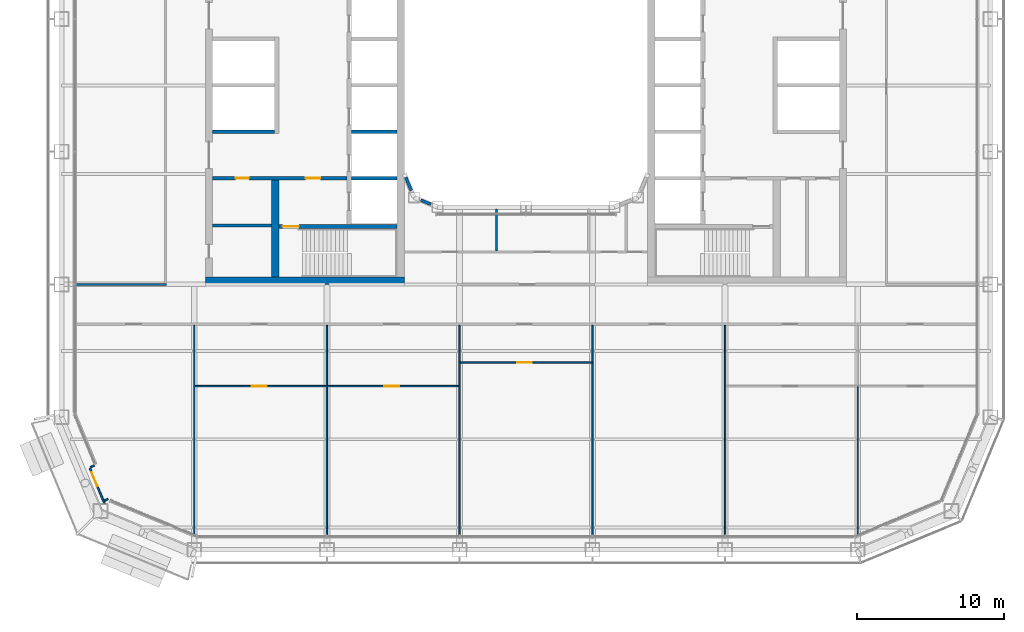
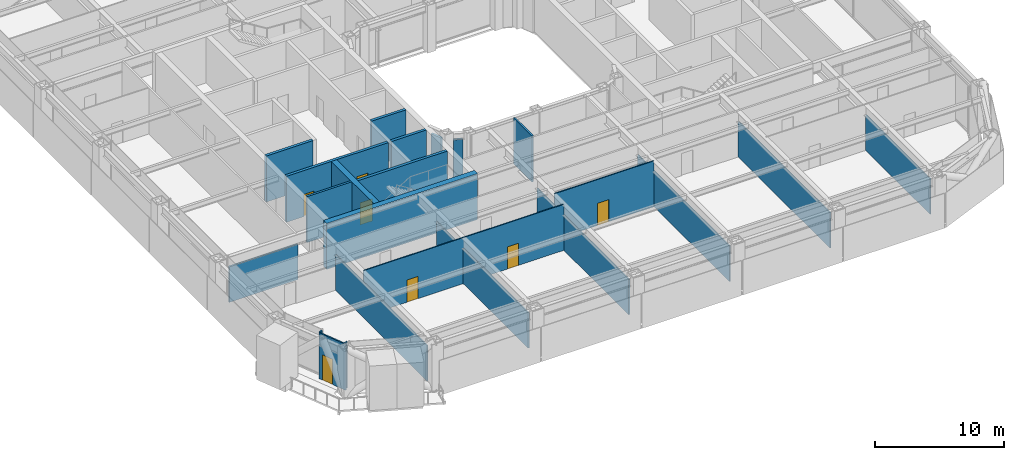
# One storey, part 13 of 27: 24 walls, 7 doors, 7 openings.
"""IFC4 building model written with IfcOpenShell, lengths in metres."""

from ifc_helpers import new_model, si_unit, direction, frame, frame_2d, origin, place, context, subcontext, project, spatial, rectangle, extrude, material, layer, layer_set, type_object, element, fill, save


model = new_model("IFC4")

# Units and contexts
model_context = context("Model", 3, precision=1e-05, world=origin(), true_north=direction((0.0, 1.0)))
body_context = subcontext(model_context, "Body", "Model", "MODEL_VIEW")
ifc_project = project(units=[si_unit("LENGTHUNIT", "METRE"), si_unit("AREAUNIT", "SQUARE_METRE"), si_unit("VOLUMEUNIT", "CUBIC_METRE"), si_unit("PLANEANGLEUNIT", "RADIAN"), si_unit("MASSUNIT", "GRAM", prefix="KILO")], contexts=[model_context])

# Site, building, storey
site_placement = place(None, origin())
site = spatial("IfcSite", under=ifc_project, at=site_placement, CompositionType="ELEMENT")
building_placement = place(site_placement, origin())
building = spatial("IfcBuilding", under=site, at=building_placement, Name="Siwar Civic Tower", CompositionType="ELEMENT")
storey_placement = place(building_placement, frame((0.0, 0.0, 71.699951171875)))
storey = spatial("IfcBuildingStorey", under=building, at=storey_placement, Name="L15", CompositionType="ELEMENT", Elevation=71.699951171875)

# Wall
ifc_material_1 = material(Name="Gypsum board on steel studs", Category="steel")
ifc_layer_1 = layer(ifc_material_1, 0.199951171875)
ifc_layer_set_1 = layer_set([ifc_layer_1], Name="Gypsum board on steel studs")
wall_type_1 = type_object("IfcWallType", Name="CORE-PARTITION-200", PredefinedType="PARTITIONING", material=ifc_layer_set_1)
wall_1_placement = place(storey_placement, frame((-17.25, -9.5, 0.0), z_axis=(0.0, 0.0, 1.0), x_axis=(-1.0, 0.0, 0.0)))
element("IfcWall", 1, at=wall_1_placement, inside=storey, type_object=wall_type_1, Name="Core partition W", PredefinedType="PARTITIONING", context=body_context, shape_type="SweptSolid", body=[
    extrude(rectangle(XDim=4.0, YDim=0.199951171875, at=frame_2d((2.0, 0.0))), origin(), (0.0, 0.0, 1.0), 4.35009765625),
])

# Wall, openings, doors
ifc_material_2 = material(Name="Concrete C60/75", Category="concrete")
ifc_layer_2 = layer(ifc_material_2, 0.25)
ifc_layer_set_2 = layer_set([ifc_layer_2], Name="Concrete C60/75")
wall_type_2 = type_object("IfcWallType", Name="CORE-WALL-RC250", PredefinedType="SHEAR", material=ifc_layer_set_2)
wall_2_placement = place(storey_placement, frame((-12.14990234375, -6.300048828125, 0.0), z_axis=(0.0, 0.0, 1.0), x_axis=(-1.0, 0.0, 0.0)))
wall_2 = element("IfcWall", 2, at=wall_2_placement, inside=storey, type_object=wall_type_2, Name="Core wall W", PredefinedType="SHEAR", context=body_context, shape_type="SweptSolid", body=[
    extrude(rectangle(XDim=9.10009765625, YDim=0.25, at=frame_2d((4.550048828125, 0.0))), origin(), (0.0, 0.0, 1.0), 4.35009765625),
])
opening_1_placement = place(wall_2_placement, frame((1.800048828125, 0.0, 0.0)))
opening_1 = element("IfcOpeningElement", 3, at=opening_1_placement, cuts=wall_2, Name="Opening L15-CW02", PredefinedType="OPENING", context=body_context, shape_type="SweptSolid", body=[
    extrude(rectangle(XDim=1.0, YDim=2.10009765625, at=frame_2d((0.5, 1.050048828125))), frame((0.0, 0.135009765625, 0.0), z_axis=(0.0, -1.0, 0.0), x_axis=(1.0, 0.0, 0.0)), (0.0, 0.0, 1.0), 0.27001953125),
])
opening_2_placement = place(wall_2_placement, frame((6.64990234375, 0.0, 0.0)))
opening_2 = element("IfcOpeningElement", 4, at=opening_2_placement, cuts=wall_2, Name="Opening L15-CW14", PredefinedType="OPENING", context=body_context, shape_type="SweptSolid", body=[
    extrude(rectangle(XDim=0.89990234375, YDim=2.10009765625, at=frame_2d((0.449951171875, 1.050048828125))), frame((0.0, 0.135009765625, 0.0), z_axis=(0.0, -1.0, 0.0), x_axis=(1.0, 0.0, 0.0)), (0.0, 0.0, 1.0), 0.27001953125),
])
ifc_material_3 = material(Name="Steel door leaf", Category="steel")
door_type_1 = type_object("IfcDoorType", Name="CORE-DOOR-FD30S", OperationType="SINGLE_SWING_LEFT", PredefinedType="DOOR", material=ifc_material_3)
door_1_placement = place(opening_1_placement, origin())
door_1 = element("IfcDoor", 5, at=door_1_placement, inside=storey, type_object=door_type_1, Name="Service lobby door L15-CW02", OperationType="SINGLE_SWING_RIGHT", OverallHeight=2.10009765625, OverallWidth=1.0, PredefinedType="DOOR", context=body_context, shape_type="SweptSolid", body=[
    extrude(rectangle(XDim=1.0, YDim=2.10009765625, at=frame_2d((0.5, 1.050048828125))), frame((0.0, 0.02490234375, 0.0), z_axis=(0.0, -1.0, 0.0), x_axis=(1.0, 0.0, 0.0)), (0.0, 0.0, 1.0), 0.050048828125),
])
fill(opening_1, door_1)
ifc_material_4 = material(Name="Steel door leaf", Category="steel")
door_type_2 = type_object("IfcDoorType", Name="CORE-DOOR-ROOM", OperationType="SINGLE_SWING_LEFT", PredefinedType="DOOR", material=ifc_material_4)
door_2_placement = place(opening_2_placement, origin())
door_2 = element("IfcDoor", 6, at=door_2_placement, inside=storey, type_object=door_type_2, Name="Core room door L15-CW14", OperationType="SINGLE_SWING_RIGHT", OverallHeight=2.10009765625, OverallWidth=0.89990234375, PredefinedType="DOOR", context=body_context, shape_type="SweptSolid", body=[
    extrude(rectangle(XDim=0.89990234375, YDim=2.10009765625, at=frame_2d((0.449951171875, 1.050048828125))), frame((0.0, 0.02490234375, 0.0), z_axis=(0.0, -1.0, 0.0), x_axis=(1.0, 0.0, 0.0)), (0.0, 0.0, 1.0), 0.050048828125),
])
fill(opening_2, door_2)

# Walls
wall_3_placement = place(storey_placement, frame((-17.050048828125, -3.14990234375, 0.0), z_axis=(0.0, 0.0, 1.0), x_axis=(-1.0, 0.0, 0.0)))
element("IfcWall", 7, at=wall_3_placement, inside=storey, type_object=wall_type_2, Name="Core wall W", PredefinedType="SHEAR", context=body_context, shape_type="SweptSolid", body=[
    extrude(rectangle(XDim=4.199951171875, YDim=0.25, at=frame_2d((2.10009765625, 0.0))), origin(), (0.0, 0.0, 1.0), 4.35009765625),
])
for number, where, z_axis, x_axis, name in (
    (8, (-8.75, -3.14990234375, 0.0), (0.0, 0.0, 1.0), (-1.0, 0.0, 0.0), "Core wall W"),
    (9, (-8.75, -6.300048828125, 0.0), (0.0, 0.0, 1.0), (-1.0, 0.0, 0.0), "Core wall W"),
):
    element("IfcWall", number, at=place(storey_placement, frame(where, z_axis=z_axis, x_axis=x_axis)), inside=storey, type_object=wall_type_2, Name=name, PredefinedType="SHEAR", context=body_context, shape_type="SweptSolid", body=[
        extrude(rectangle(XDim=3.10009765625, YDim=0.25, at=frame_2d((1.550048828125, 0.0))), origin(), (0.0, 0.0, 1.0), 4.35009765625),
    ])

# Wall, opening, door
wall_4_placement = place(storey_placement, frame((-8.75, -9.574951171875, 0.0), z_axis=(0.0, 0.0, 1.0), x_axis=(-1.0, 0.0, 0.0)))
wall_4 = element("IfcWall", 10, at=wall_4_placement, inside=storey, type_object=wall_type_2, Name="Core wall W", PredefinedType="SHEAR", context=body_context, shape_type="SweptSolid", body=[
    extrude(rectangle(XDim=8.0, YDim=0.25, at=frame_2d((4.0, 0.0))), origin(), (0.0, 0.0, 1.0), 4.35009765625),
])
opening_3_placement = place(wall_4_placement, frame((6.64990234375, 0.0, 0.0)))
opening_3 = element("IfcOpeningElement", 11, at=opening_3_placement, cuts=wall_4, Name="Opening L15-CW04", PredefinedType="OPENING", context=body_context, shape_type="SweptSolid", body=[
    extrude(rectangle(XDim=1.10009765625, YDim=2.10009765625, at=frame_2d((0.550048828125, 1.050048828125))), frame((0.0, 0.135009765625, 0.0), z_axis=(0.0, -1.0, 0.0), x_axis=(1.0, 0.0, 0.0)), (0.0, 0.0, 1.0), 0.27001953125),
])
ifc_material_5 = material(Name="Steel door leaf", Category="steel")
door_type_3 = type_object("IfcDoorType", Name="CORE-DOOR-FD60S", OperationType="SINGLE_SWING_LEFT", PredefinedType="DOOR", material=ifc_material_5)
door_3_placement = place(opening_3_placement, origin())
door_3 = element("IfcDoor", 12, at=door_3_placement, inside=storey, type_object=door_type_3, Name="Stair door L15-CW04", OperationType="SINGLE_SWING_LEFT", OverallHeight=2.10009765625, OverallWidth=1.10009765625, PredefinedType="DOOR", context=body_context, shape_type="SweptSolid", body=[
    extrude(rectangle(XDim=1.10009765625, YDim=2.10009765625, at=frame_2d((0.550048828125, 1.050048828125))), frame((0.0, 0.02490234375, 0.0), z_axis=(0.0, -1.0, 0.0), x_axis=(1.0, 0.0, 0.0)), (0.0, 0.0, 1.0), 0.050048828125),
])
fill(opening_3, door_3)

# Walls
ifc_material_6 = material(Name="Concrete C60/75", Category="concrete")
ifc_layer_3 = layer(ifc_material_6, 0.5)
ifc_layer_set_3 = layer_set([ifc_layer_3], Name="Concrete C60/75")
wall_type_3 = type_object("IfcWallType", Name="CORE-WALL-RC500", PredefinedType="SHEAR", material=ifc_layer_set_3)
wall_5_placement = place(storey_placement, frame((-17.0, -13.0, 0.0), z_axis=(0.0, 0.0, 1.0), x_axis=(0.0, 1.0, 0.0)))
element("IfcWall", 13, at=wall_5_placement, inside=storey, type_object=wall_type_3, Name="Core wall W", PredefinedType="SHEAR", context=body_context, shape_type="SweptSolid", body=[
    extrude(rectangle(XDim=6.574951171875, YDim=0.5, at=frame_2d((3.28759765625, 0.0))), origin(), (0.0, 0.0, 1.0), 4.35009765625),
])
wall_6_placement = place(storey_placement, frame((-8.25, -13.25, 0.0), z_axis=(0.0, 0.0, 1.0), x_axis=(-1.0, 0.0, 0.0)))
element("IfcWall", 14, at=wall_6_placement, inside=storey, type_object=wall_type_3, Name="Core wall W", PredefinedType="SHEAR", context=body_context, shape_type="SweptSolid", body=[
    extrude(rectangle(XDim=13.5, YDim=0.5, at=frame_2d((6.75, 0.0))), origin(), (0.0, 0.0, 1.0), 4.35009765625),
])
ifc_material_7 = material(Name="Gypsum board on steel studs", Category="steel")
ifc_layer_4 = layer(ifc_material_7, 0.14990234375)
ifc_layer_set_4 = layer_set([ifc_layer_4], Name="Gypsum board on steel studs")
wall_type_4 = type_object("IfcWallType", Name="CORRIDOR PARTITION 150 EI 30", PredefinedType="PARTITIONING", material=ifc_layer_set_4)
wall_7_placement = place(storey_placement, frame((-30.510009765625, -13.5, 0.0), z_axis=(0.0, 0.0, 1.0), x_axis=(1.0, 0.0, 0.0)))
element("IfcWall", 15, at=wall_7_placement, inside=storey, type_object=wall_type_4, Name="L15/wall/P05", PredefinedType="PARTITIONING", context=body_context, shape_type="SweptSolid", body=[
    extrude(rectangle(XDim=6.135009765625, YDim=0.14990234375, at=frame_2d((3.0673828125, 0.0))), origin(), (0.0, 0.0, 1.0), 3.35009765625),
])
wall_8_placement = place(storey_placement, frame((-2.0, -11.22509765625, 0.0), z_axis=(0.0, 0.0, 1.0), x_axis=(0.0, 1.0, 0.0)))
element("IfcWall", 16, at=wall_8_placement, inside=storey, type_object=wall_type_4, Name="L15/wall/P28", PredefinedType="PARTITIONING", context=body_context, shape_type="SweptSolid", body=[
    extrude(rectangle(XDim=2.85498046875, YDim=0.14990234375, at=frame_2d((1.427490234375, 0.0))), origin(), (0.0, 0.0, 1.0), 4.35009765625),
])
ifc_material_8 = material(Name="Aluminium clad insulated panel", Category="aluminium")
ifc_layer_5 = layer(ifc_material_8, 0.1201171875)
ifc_layer_set_5 = layer_set([ifc_layer_5], Name="Aluminium clad insulated panel")
wall_type_5 = type_object("IfcWallType", Name="ENV-WALL-BAL", PredefinedType="STANDARD", material=ifc_layer_set_5)
wall_9_placement = place(storey_placement, frame((-29.284912109375, -25.783447265625, 0.0), z_axis=(0.0, 0.0, 1.0), x_axis=(-0.923772220778, -0.382942403136, 0.0)))
element("IfcWall", 17, at=wall_9_placement, inside=storey, type_object=wall_type_5, Name="Balcony door wall return SW1", PredefinedType="STANDARD", context=body_context, shape_type="SweptSolid", body=[
    extrude(rectangle(XDim=0.27978515625, YDim=0.1201171875, at=frame_2d((0.139892578125, 0.0))), origin(), (0.0, 0.0, 1.0), 4.35009765625),
])
wall_10_placement = place(storey_placement, frame((-28.3427734375, -28.057861328125, 0.0), z_axis=(0.0, 0.0, 1.0), x_axis=(-0.923899985553, -0.382634050621, 0.0)))
element("IfcWall", 18, at=wall_10_placement, inside=storey, type_object=wall_type_5, Name="Balcony door wall return SW1", PredefinedType="STANDARD", context=body_context, shape_type="SweptSolid", body=[
    extrude(rectangle(XDim=0.280029296875, YDim=0.1201171875, at=frame_2d((0.14013671875, 0.0))), origin(), (0.0, 0.0, 1.0), 4.35009765625),
])

# Wall, opening, door
wall_11_placement = place(storey_placement, frame((-29.575927734375, -25.968994140625, 0.0), z_axis=(0.0, 0.0, 1.0), x_axis=(0.382648460137, -0.923894017707, 0.0)))
wall_11 = element("IfcWall", 19, at=wall_11_placement, inside=storey, type_object=wall_type_5, Name="Balcony door wall SW1", PredefinedType="STANDARD", context=body_context, shape_type="SweptSolid", body=[
    extrude(rectangle(XDim=2.59228515625, YDim=0.1201171875, at=frame_2d((1.296142578125, 0.0))), origin(), (0.0, 0.0, 1.0), 4.35009765625),
])
opening_4_placement = place(wall_11_placement, frame((0.300048828125, 0.0, 0.0)))
opening_4 = element("IfcOpeningElement", 20, at=opening_4_placement, cuts=wall_11, Name="Opening D-BAL", PredefinedType="OPENING", context=body_context, shape_type="SweptSolid", body=[
    extrude(rectangle(XDim=1.0, YDim=2.39990234375, at=frame_2d((0.5, 1.199951171875))), frame((0.0, 0.070068359375, 0.0), z_axis=(0.0, -1.0, 0.0), x_axis=(1.0, 0.0, 0.0)), (0.0, 0.0, 1.0), 0.14013671875),
])
ifc_material_9 = material(Name="Aluminium and glass", Category="aluminium")
door_type_4 = type_object("IfcDoorType", Name="ENV-DOOR-BAL", OperationType="SINGLE_SWING_LEFT", PredefinedType="DOOR", material=ifc_material_9)
door_4_placement = place(opening_4_placement, origin())
door_4 = element("IfcDoor", 21, at=door_4_placement, inside=storey, type_object=door_type_4, Name="Balcony door SW", OperationType="SINGLE_SWING_LEFT", OverallHeight=2.39990234375, OverallWidth=1.0, PredefinedType="DOOR", context=body_context, shape_type="SweptSolid", body=[
    extrude(rectangle(XDim=1.0, YDim=2.39990234375, at=frame_2d((0.5, 1.199951171875))), frame((0.0, 0.02490234375, 0.0), z_axis=(0.0, -1.0, 0.0), x_axis=(1.0, 0.0, 0.0)), (0.0, 0.0, 1.0), 0.050048828125),
])
fill(opening_4, door_4)

# Walls
ifc_material_10 = material(Name="Aluminium clad insulated panel", Category="aluminium")
ifc_layer_6 = layer(ifc_material_10, 0.199951171875)
ifc_layer_set_6 = layer_set([ifc_layer_6], Name="Aluminium clad insulated panel")
wall_type_6 = type_object("IfcWallType", Name="ENV-WALL-WELL", PredefinedType="STANDARD", material=ifc_layer_set_6)
wall_12_placement = place(storey_placement, frame((-8.154296875, -6.23095703125, 0.0), z_axis=(0.0, 0.0, 1.0), x_axis=(0.382549378284, -0.923935048136, 0.0)))
element("IfcWall", 22, at=wall_12_placement, inside=storey, type_object=wall_type_6, Name="Light well corner wall SW1", PredefinedType="STANDARD", context=body_context, shape_type="SweptSolid", body=[
    extrude(rectangle(XDim=0.982177734375, YDim=0.199951171875, at=frame_2d((0.4912109375, 0.0))), origin(), (0.0, 0.0, 1.0), 3.72998046875),
])
wall_13_placement = place(storey_placement, frame((-7.138427734375, -7.778564453125, 0.0), z_axis=(0.0, 0.0, 1.0), x_axis=(0.923940677943, -0.382535780864, 0.0)))
element("IfcWall", 23, at=wall_13_placement, inside=storey, type_object=wall_type_6, Name="Light well corner wall SW2", PredefinedType="STANDARD", context=body_context, shape_type="SweptSolid", body=[
    extrude(rectangle(XDim=0.7421875, YDim=0.199951171875, at=frame_2d((0.37109375, 0.0))), origin(), (0.0, 0.0, 1.0), 3.72998046875),
])

# Wall, openings, doors
ifc_material_11 = material(Name="Gypsum board on steel studs", Category="steel")
ifc_layer_7 = layer(ifc_material_11, 0.10009765625)
ifc_layer_set_7 = layer_set([ifc_layer_7], Name="Gypsum board on steel studs")
wall_type_7 = type_object("IfcWallType", Name="PARTITION 100 GYPSUM", PredefinedType="PARTITIONING", material=ifc_layer_set_7)
wall_14_placement = place(storey_placement, frame((-22.449951171875, -20.39990234375, 0.0), z_axis=(0.0, 0.0, 1.0), x_axis=(1.0, 0.0, 0.0)))
wall_14 = element("IfcWall", 24, at=wall_14_placement, inside=storey, type_object=wall_type_7, Name="L15/wall/P01", PredefinedType="PARTITIONING", context=body_context, shape_type="SweptSolid", body=[
    extrude(rectangle(XDim=17.89990234375, YDim=0.10009765625, at=frame_2d((8.949951171875, 0.0))), origin(), (0.0, 0.0, 1.0), 4.35009765625),
])
opening_5_placement = place(wall_14_placement, frame((3.85009765625, 0.0, 0.0)))
opening_5 = element("IfcOpeningElement", 25, at=opening_5_placement, cuts=wall_14, Name="Opening D2", PredefinedType="OPENING", context=body_context, shape_type="SweptSolid", body=[
    extrude(rectangle(XDim=1.0, YDim=2.10009765625, at=frame_2d((0.5, 1.050048828125))), frame((0.0, 0.06005859375, 0.0), z_axis=(0.0, -1.0, 0.0), x_axis=(1.0, 0.0, 0.0)), (0.0, 0.0, 1.0), 0.1201171875),
])
opening_6_placement = place(wall_14_placement, frame((12.85009765625, 0.0, 0.0)))
opening_6 = element("IfcOpeningElement", 26, at=opening_6_placement, cuts=wall_14, Name="Opening D2", PredefinedType="OPENING", context=body_context, shape_type="SweptSolid", body=[
    extrude(rectangle(XDim=1.0, YDim=2.10009765625, at=frame_2d((0.5, 1.050048828125))), frame((0.0, 0.06005859375, 0.0), z_axis=(0.0, -1.0, 0.0), x_axis=(1.0, 0.0, 0.0)), (0.0, 0.0, 1.0), 0.1201171875),
])
ifc_material_12 = material(Name="Timber, painted", Category="wood")
door_type_5 = type_object("IfcDoorType", Name="DOOR 1000 X 2100", OperationType="SINGLE_SWING_LEFT", PredefinedType="DOOR", material=ifc_material_12)
door_5_placement = place(opening_5_placement, origin())
door_5 = element("IfcDoor", 27, at=door_5_placement, inside=storey, type_object=door_type_5, Name="L15-D12", OperationType="SINGLE_SWING_RIGHT", OverallHeight=2.10009765625, OverallWidth=1.0, PredefinedType="DOOR", context=body_context, shape_type="SweptSolid", body=[
    extrude(rectangle(XDim=1.0, YDim=2.10009765625, at=frame_2d((0.5, 1.050048828125))), frame((0.0, 0.02490234375, 0.0), z_axis=(0.0, -1.0, 0.0), x_axis=(1.0, 0.0, 0.0)), (0.0, 0.0, 1.0), 0.050048828125),
])
fill(opening_5, door_5)
door_6_placement = place(opening_6_placement, origin())
door_6 = element("IfcDoor", 28, at=door_6_placement, inside=storey, type_object=door_type_5, Name="L15-D14", OperationType="SINGLE_SWING_RIGHT", OverallHeight=2.10009765625, OverallWidth=1.0, PredefinedType="DOOR", context=body_context, shape_type="SweptSolid", body=[
    extrude(rectangle(XDim=1.0, YDim=2.10009765625, at=frame_2d((0.5, 1.050048828125))), frame((0.0, 0.02490234375, 0.0), z_axis=(0.0, -1.0, 0.0), x_axis=(1.0, 0.0, 0.0)), (0.0, 0.0, 1.0), 0.050048828125),
])
fill(opening_6, door_6)

# Wall, opening, door
wall_15_placement = place(storey_placement, frame((-4.449951171875, -18.800048828125, 0.0), z_axis=(0.0, 0.0, 1.0), x_axis=(1.0, 0.0, 0.0)))
wall_15 = element("IfcWall", 29, at=wall_15_placement, inside=storey, type_object=wall_type_7, Name="L15/wall/P03", PredefinedType="PARTITIONING", context=body_context, shape_type="SweptSolid", body=[
    extrude(rectangle(XDim=8.89990234375, YDim=0.10009765625, at=frame_2d((4.449951171875, 0.0))), origin(), (0.0, 0.0, 1.0), 4.35009765625),
])
opening_7_placement = place(wall_15_placement, frame((3.85009765625, 0.0, 0.0)))
opening_7 = element("IfcOpeningElement", 30, at=opening_7_placement, cuts=wall_15, Name="Opening D2", PredefinedType="OPENING", context=body_context, shape_type="SweptSolid", body=[
    extrude(rectangle(XDim=1.0, YDim=2.10009765625, at=frame_2d((0.5, 1.050048828125))), frame((0.0, 0.06005859375, 0.0), z_axis=(0.0, -1.0, 0.0), x_axis=(1.0, 0.0, 0.0)), (0.0, 0.0, 1.0), 0.1201171875),
])
door_7_placement = place(opening_7_placement, origin())
door_7 = element("IfcDoor", 31, at=door_7_placement, inside=storey, type_object=door_type_5, Name="L15-D16", OperationType="SINGLE_SWING_RIGHT", OverallHeight=2.10009765625, OverallWidth=1.0, PredefinedType="DOOR", context=body_context, shape_type="SweptSolid", body=[
    extrude(rectangle(XDim=1.0, YDim=2.10009765625, at=frame_2d((0.5, 1.050048828125))), frame((0.0, 0.02490234375, 0.0), z_axis=(0.0, -1.0, 0.0), x_axis=(1.0, 0.0, 0.0)), (0.0, 0.0, 1.0), 0.050048828125),
])
fill(opening_7, door_7)

# Walls
wall_16_placement = place(storey_placement, frame((-22.5, -30.427978515625, 0.0), z_axis=(0.0, 0.0, 1.0), x_axis=(0.0, 1.0, 0.0)))
element("IfcWall", 32, at=wall_16_placement, inside=storey, type_object=wall_type_7, Name="L15/wall/P17", PredefinedType="PARTITIONING", context=body_context, shape_type="SweptSolid", body=[
    extrude(rectangle(XDim=14.153076171875, YDim=0.10009765625, at=frame_2d((7.07666015625, 0.0))), origin(), (0.0, 0.0, 1.0), 3.35009765625),
])
wall_17_placement = place(storey_placement, frame((-13.5, -30.510009765625, 0.0), z_axis=(0.0, 0.0, 1.0), x_axis=(0.0, 1.0, 0.0)))
element("IfcWall", 33, at=wall_17_placement, inside=storey, type_object=wall_type_7, Name="L15/wall/P20", PredefinedType="PARTITIONING", context=body_context, shape_type="SweptSolid", body=[
    extrude(rectangle(XDim=10.06005859375, YDim=0.10009765625, at=frame_2d((5.030029296875, 0.0))), origin(), (0.0, 0.0, 1.0), 3.35009765625),
])
wall_18_placement = place(storey_placement, frame((-13.5, -20.35009765625, 0.0), z_axis=(0.0, 0.0, 1.0), x_axis=(0.0, 1.0, 0.0)))
element("IfcWall", 34, at=wall_18_placement, inside=storey, type_object=wall_type_7, Name="L15/wall/P21", PredefinedType="PARTITIONING", context=body_context, shape_type="SweptSolid", body=[
    extrude(rectangle(XDim=4.0751953125, YDim=0.10009765625, at=frame_2d((2.03759765625, 0.0))), origin(), (0.0, 0.0, 1.0), 3.35009765625),
])
for number, where, z_axis, x_axis, name in (
    (35, (-4.5, -30.510009765625, 0.0), (0.0, 0.0, 1.0), (0.0, 1.0, 0.0), "L15/wall/P24"),
    (36, (4.5, -30.510009765625, 0.0), (0.0, 0.0, 1.0), (0.0, 1.0, 0.0), "L15/wall/P30"),
    (37, (13.5, -30.510009765625, 0.0), (0.0, 0.0, 1.0), (0.0, 1.0, 0.0), "L15/wall/P34"),
):
    element("IfcWall", number, at=place(storey_placement, frame(where, z_axis=z_axis, x_axis=x_axis)), inside=storey, type_object=wall_type_7, Name=name, PredefinedType="PARTITIONING", context=body_context, shape_type="SweptSolid", body=[
        extrude(rectangle(XDim=14.235107421875, YDim=0.10009765625, at=frame_2d((7.11767578125, 0.0))), origin(), (0.0, 0.0, 1.0), 3.35009765625),
    ])
wall_19_placement = place(storey_placement, frame((22.5, -30.427978515625, 0.0), z_axis=(0.0, 0.0, 1.0), x_axis=(0.0, 1.0, 0.0)))
element("IfcWall", 38, at=wall_19_placement, inside=storey, type_object=wall_type_7, Name="L15/wall/P37", PredefinedType="PARTITIONING", context=body_context, shape_type="SweptSolid", body=[
    extrude(rectangle(XDim=9.97802734375, YDim=0.10009765625, at=frame_2d((4.989013671875, 0.0))), origin(), (0.0, 0.0, 1.0), 3.35009765625),
])

save(model, "model.ifc")
